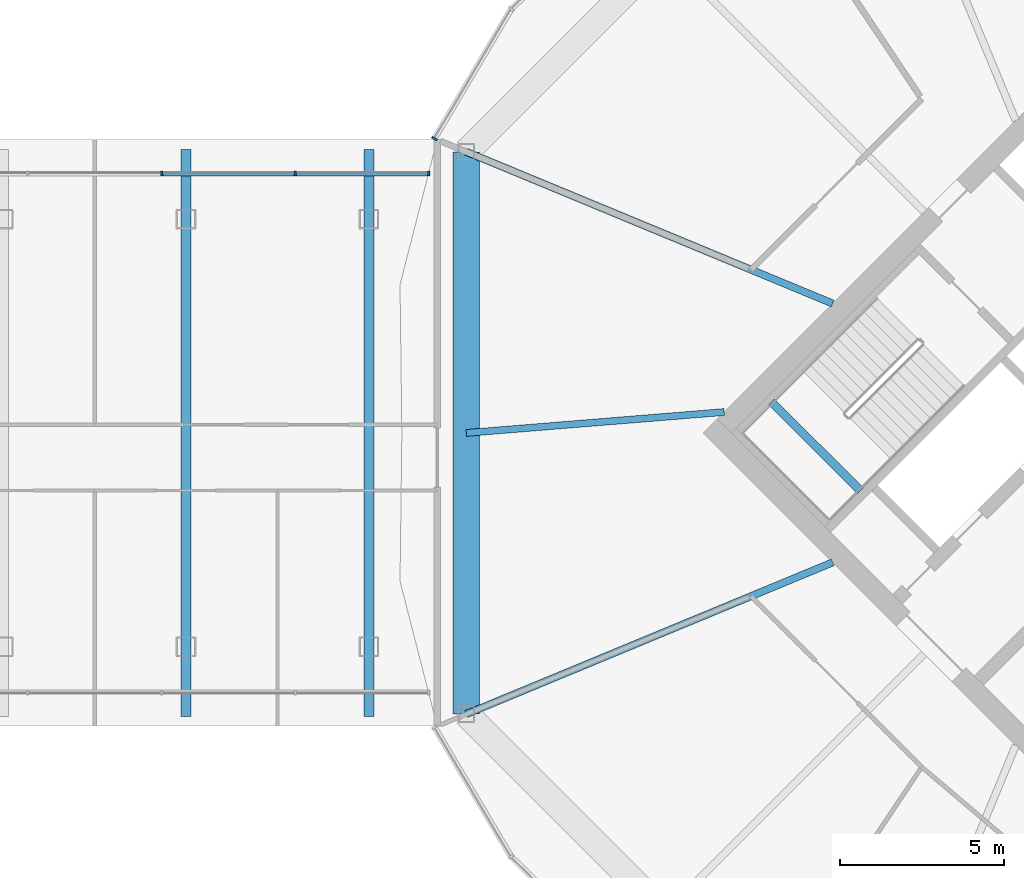
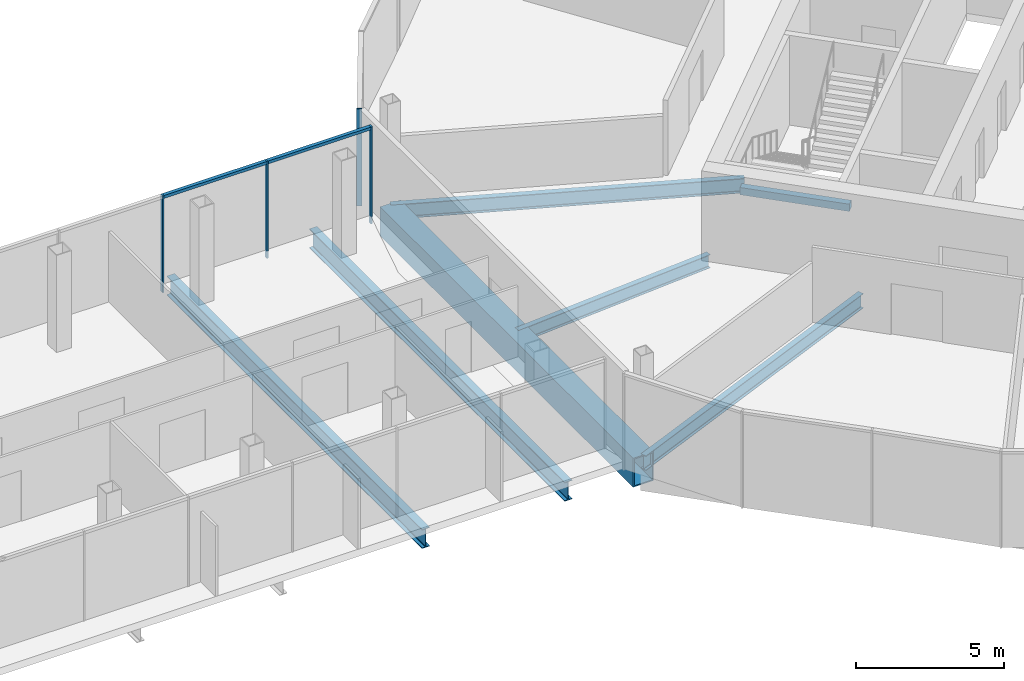
# One storey, part 13 of 25: 7 beams, 6 members, 2 elements without a shape of their own.
"""IFC4 building model written with IfcOpenShell, lengths in metres."""

from ifc_helpers import new_model, si_unit, direction, frame, origin, origin_2d, place, context, subcontext, project, spatial, rectangle, hollow_rectangle, i_section, extrude, material, material_profile, profile_set, type_object, element, aggregate, save


model = new_model("IFC4")

# Units and contexts
model_context = context("Model", 3, precision=1e-05, world=origin(), true_north=direction((0.0, 1.0)))
body_context = subcontext(model_context, "Body", "Model", "MODEL_VIEW")
ifc_project = project(units=[si_unit("LENGTHUNIT", "METRE"), si_unit("AREAUNIT", "SQUARE_METRE"), si_unit("VOLUMEUNIT", "CUBIC_METRE"), si_unit("PLANEANGLEUNIT", "RADIAN"), si_unit("MASSUNIT", "GRAM", prefix="KILO")], contexts=[model_context])

# Site, building, storey
site_placement = place(None, origin())
site = spatial("IfcSite", under=ifc_project, at=site_placement, CompositionType="ELEMENT")
building_placement = place(site_placement, origin())
building = spatial("IfcBuilding", under=site, at=building_placement, Name="Ogive Gate Towers", CompositionType="ELEMENT")
storey_placement = place(building_placement, frame((0.0, 0.0, 144.800048828125)))
storey = spatial("IfcBuildingStorey", under=building, at=storey_placement, Name="L34", CompositionType="ELEMENT", Elevation=144.800048828125)

# Beams
ifc_material_1 = material(Name="Steel SM460", Category="steel")
ifc_material_profile_1 = material_profile(ifc_material_1, i_section(OverallWidth=0.300048828125, OverallDepth=0.7900390625, WebThickness=0.014892578125, FlangeThickness=0.028076171875, FilletRadius=0.030029296875, at=origin_2d()), Name="HE 800 A")
ifc_profile_set_1 = profile_set([ifc_material_profile_1], Name="Steel SM460")
beam_type_1 = type_object("IfcBeamType", Name="Block floor beam HE 800 A", PredefinedType="BEAM", material=ifc_profile_set_1)
for number, where, z_axis, x_axis, name in (
    (1, (6.8388671875, -8.616455078125, -0.695068359375), (0.0, 1.0, 0.0), (-1.0, 0.0, 0.0), "BR/L34/SBM004"),
    (2, (12.3955078125, -8.616455078125, -0.695068359375), (0.0, 1.0, 0.0), (-1.0, 0.0, 0.0), "BR/L34/SBM005"),
):
    element("IfcBeam", number, at=place(storey_placement, frame(where, z_axis=z_axis, x_axis=x_axis)), inside=storey, type_object=beam_type_1, Name=name, PredefinedType="BEAM", context=body_context, shape_type="SweptSolid", body=[
        extrude(i_section(OverallWidth=0.300048828125, OverallDepth=0.7900390625, WebThickness=0.014892578125, FlangeThickness=0.028076171875, FilletRadius=0.030029296875, at=origin_2d()), origin(), (0.0, 0.0, 1.0), 17.23291015625),
    ])
ifc_material_profile_2 = material_profile(ifc_material_1, hollow_rectangle(XDim=0.800048828125, YDim=1.199951171875, WallThickness=0.050048828125, at=origin_2d()), Name="BX 1200x800x50")
ifc_profile_set_2 = profile_set([ifc_material_profile_2], Name="Steel SM460")
beam_type_2 = type_object("IfcBeamType", Name="Edge girder BX 1200x800x50", PredefinedType="BEAM", material=ifc_profile_set_2)
beam_1_placement = place(storey_placement, frame((15.360595703125, 8.549072265625, -0.900146484375), z_axis=(0.0, -1.0, 0.0), x_axis=(1.0, 0.0, 0.0)))
element("IfcBeam", 3, at=beam_1_placement, inside=storey, type_object=beam_type_2, Name="T2/L34/SBM024", PredefinedType="BEAM", context=body_context, shape_type="SweptSolid", body=[
    extrude(hollow_rectangle(XDim=0.800048828125, YDim=1.199951171875, WallThickness=0.050048828125, at=origin_2d()), origin(), (0.0, 0.0, 1.0), 17.09814453125),
])

# Curtain wall, members
ifc_material_2 = material(Name="Pale metal aluminium", Category="aluminium")
curtain_wall_type_1 = type_object("IfcCurtainWallType", Name="Gate block facade", PredefinedType="NOTDEFINED", material=ifc_material_2)
curtain_wall_1_placement = place(storey_placement, origin())
curtain_wall_1 = element("IfcCurtainWall", 4, at=curtain_wall_1_placement, inside=storey, type_object=curtain_wall_type_1, Name="CW3 BR ECW02", PredefinedType="NOTDEFINED")
ifc_material_profile_3 = material_profile(ifc_material_2, rectangle(XDim=0.139892578125, YDim=0.06005859375, at=origin_2d()), Name="60 x 140 aluminium box")
ifc_profile_set_3 = profile_set([ifc_material_profile_3], Name="Pale metal aluminium")
member_type_1 = type_object("IfcMemberType", Name="Gate block facade mullion 60 x 140", PredefinedType="MULLION", material=ifc_profile_set_3)
member_1_placement = place(storey_placement, frame((14.21728515625, 7.886474609375, -0.300048828125), z_axis=(0.0, 0.0, 1.0), x_axis=(0.0, 1.0, 0.0)))
member_1 = element("IfcMember", 5, at=member_1_placement, type_object=member_type_1, Name="CW3 mullion", PredefinedType="MULLION", context=body_context, shape_type="SweptSolid", body=[
    extrude(rectangle(XDim=0.139892578125, YDim=0.06005859375, at=origin_2d()), origin(), (0.0, 0.0, 1.0), 4.0),
])
member_2_placement = place(storey_placement, frame((10.1552734375, 7.886474609375, -0.300048828125), z_axis=(0.0, 0.0, 1.0), x_axis=(0.0, 1.0, 0.0)))
member_2 = element("IfcMember", 6, at=member_2_placement, type_object=member_type_1, Name="CW3 mullion", PredefinedType="MULLION", context=body_context, shape_type="SweptSolid", body=[
    extrude(rectangle(XDim=0.139892578125, YDim=0.06005859375, at=origin_2d()), origin(), (0.0, 0.0, 1.0), 4.0),
])
member_3_placement = place(storey_placement, frame((6.09326171875, 7.886474609375, -0.300048828125), z_axis=(0.0, 0.0, 1.0), x_axis=(0.0, 1.0, 0.0)))
member_3 = element("IfcMember", 7, at=member_3_placement, type_object=member_type_1, Name="CW3 mullion", PredefinedType="MULLION", context=body_context, shape_type="SweptSolid", body=[
    extrude(rectangle(XDim=0.139892578125, YDim=0.06005859375, at=origin_2d()), origin(), (0.0, 0.0, 1.0), 4.0),
])
ifc_material_profile_4 = material_profile(ifc_material_2, rectangle(XDim=0.139892578125, YDim=0.1201171875, at=origin_2d()), Name="120 x 140 aluminium box")
ifc_profile_set_4 = profile_set([ifc_material_profile_4], Name="Pale metal aluminium")
member_type_2 = type_object("IfcMemberType", Name="Gate block facade transom 120 x 140", PredefinedType="USERDEFINED", material=ifc_profile_set_4)
member_4_placement = place(storey_placement, frame((14.1875, 7.886474609375, 3.639892578125), z_axis=(-1.0, 0.0, 0.0), x_axis=(0.0, -1.0, 0.0)))
member_4 = element("IfcMember", 8, at=member_4_placement, type_object=member_type_2, Name="CW3 transom", ObjectType="TRANSOM", PredefinedType="USERDEFINED", context=body_context, shape_type="SweptSolid", body=[
    extrude(rectangle(XDim=0.139892578125, YDim=0.1201171875, at=origin_2d()), origin(), (0.0, 0.0, 1.0), 4.002197265625),
])
member_5_placement = place(storey_placement, frame((10.125244140625, 7.886474609375, 3.639892578125), z_axis=(-1.0, 0.0, 0.0), x_axis=(0.0, -1.0, 0.0)))
member_5 = element("IfcMember", 9, at=member_5_placement, type_object=member_type_2, Name="CW3 transom", ObjectType="TRANSOM", PredefinedType="USERDEFINED", context=body_context, shape_type="SweptSolid", body=[
    extrude(rectangle(XDim=0.139892578125, YDim=0.1201171875, at=origin_2d()), origin(), (0.0, 0.0, 1.0), 4.001953125),
])
aggregate(curtain_wall_1, [member_1, member_2, member_4, member_3, member_5])

# Beams
ifc_material_3 = material(Name="Concrete C40/50", Category="concrete")
ifc_material_profile_5 = material_profile(ifc_material_3, rectangle(XDim=0.25, YDim=0.300048828125, at=origin_2d()), Name="RC 250x300")
ifc_profile_set_5 = profile_set([ifc_material_profile_5], Name="Concrete C40/50")
beam_type_3 = type_object("IfcBeamType", Name="Landing bearer RC 250x300", PredefinedType="BEAM", material=ifc_profile_set_5)
beam_2_placement = place(storey_placement, frame((24.64111328125, 0.94482421875, 1.64990234375), z_axis=(0.707138693938, -0.707074866995, 0.0), x_axis=(0.707074866995, 0.707138693938, 0.0)))
element("IfcBeam", 10, at=beam_2_placement, inside=storey, type_object=beam_type_3, Name="T2 L34 stair 1 landing bearer 1", PredefinedType="BEAM", context=body_context, shape_type="SweptSolid", body=[
    extrude(rectangle(XDim=0.25, YDim=0.300048828125, at=origin_2d()), origin(), (0.0, 0.0, 1.0), 3.824951171875),
])
ifc_material_4 = material(Name="Steel SM355", Category="steel")
ifc_material_profile_6 = material_profile(ifc_material_4, i_section(OverallWidth=0.2099609375, OverallDepth=0.550048828125, WebThickness=0.010986328125, FlangeThickness=0.01708984375, FilletRadius=0.02392578125, at=origin_2d()), Name="IPE 550")
ifc_profile_set_6 = profile_set([ifc_material_profile_6], Name="Steel SM355")
beam_type_4 = type_object("IfcBeamType", Name="Radial floor beam IPE 550", PredefinedType="BEAM", material=ifc_profile_set_6)
beam_3_placement = place(storey_placement, frame((23.201416015625, 0.636474609375, -0.574951171875), z_axis=(-0.996721544062, -0.080908365468, 0.0), x_axis=(0.080908365468, -0.996721544062, 0.0)))
element("IfcBeam", 11, at=beam_3_placement, inside=storey, type_object=beam_type_4, Name="T2/L34/SBM016", PredefinedType="BEAM", context=body_context, shape_type="SweptSolid", body=[
    extrude(i_section(OverallWidth=0.2099609375, OverallDepth=0.550048828125, WebThickness=0.010986328125, FlangeThickness=0.01708984375, FilletRadius=0.02392578125, at=origin_2d()), origin(), (0.0, 0.0, 1.0), 7.86669921875),
])
ifc_material_profile_7 = material_profile(ifc_material_4, i_section(OverallWidth=0.219970703125, OverallDepth=0.60009765625, WebThickness=0.011962890625, FlangeThickness=0.01904296875, FilletRadius=0.02392578125, at=origin_2d()), Name="IPE 600")
ifc_profile_set_7 = profile_set([ifc_material_profile_7], Name="Steel SM355")
beam_type_5 = type_object("IfcBeamType", Name="Radial floor beam IPE 600", PredefinedType="BEAM", material=ifc_profile_set_7)
for number, where, z_axis, x_axis, name in (
    (12, (26.5, -3.93505859375, -0.60009765625), (-0.923881839184, -0.382677863518, 0.0), (0.382677863518, -0.923881839184, 0.0), "T2/L34/SBM001"),
    (13, (26.5, 3.93505859375, -0.60009765625), (-0.923881839184, 0.382677863518, 0.0), (-0.382677863518, -0.923881839184, 0.0), "T2/L34/SBM015"),
):
    element("IfcBeam", number, at=place(storey_placement, frame(where, z_axis=z_axis, x_axis=x_axis)), inside=storey, type_object=beam_type_5, Name=name, PredefinedType="BEAM", context=body_context, shape_type="SweptSolid", body=[
        extrude(i_section(OverallWidth=0.219970703125, OverallDepth=0.60009765625, WebThickness=0.011962890625, FlangeThickness=0.01904296875, FilletRadius=0.02392578125, at=origin_2d()), origin(), (0.0, 0.0, 1.0), 12.05712890625),
    ])

# Curtain wall, member
curtain_wall_type_2 = type_object("IfcCurtainWallType", Name="Tower unitised wall, high zone", PredefinedType="NOTDEFINED", material=ifc_material_2)
curtain_wall_2_placement = place(storey_placement, origin())
curtain_wall_2 = element("IfcCurtainWall", 14, at=curtain_wall_2_placement, inside=storey, type_object=curtain_wall_type_2, Name="CW2 T2 ECW04", PredefinedType="NOTDEFINED")
ifc_material_profile_8 = material_profile(ifc_material_2, rectangle(XDim=0.179931640625, YDim=0.06005859375, at=origin_2d()), Name="60 x 180 aluminium box")
ifc_profile_set_8 = profile_set([ifc_material_profile_8], Name="Pale metal aluminium")
member_type_3 = type_object("IfcMemberType", Name="Tower unitised wall, high zone mullion 60 x 180", PredefinedType="MULLION", material=ifc_profile_set_8)
member_6_placement = place(storey_placement, frame((14.388916015625, 8.9501953125, -0.300048828125), z_axis=(0.0, 0.0, 1.0), x_axis=(-0.860466483121, 0.509507047474, 0.0)))
member_6 = element("IfcMember", 15, at=member_6_placement, type_object=member_type_3, Name="CW2 mullion", PredefinedType="MULLION", context=body_context, shape_type="SweptSolid", body=[
    extrude(rectangle(XDim=0.179931640625, YDim=0.06005859375, at=origin_2d()), origin(), (0.0, 0.0, 1.0), 4.0),
])
aggregate(curtain_wall_2, [member_6])

save(model, "model.ifc")
